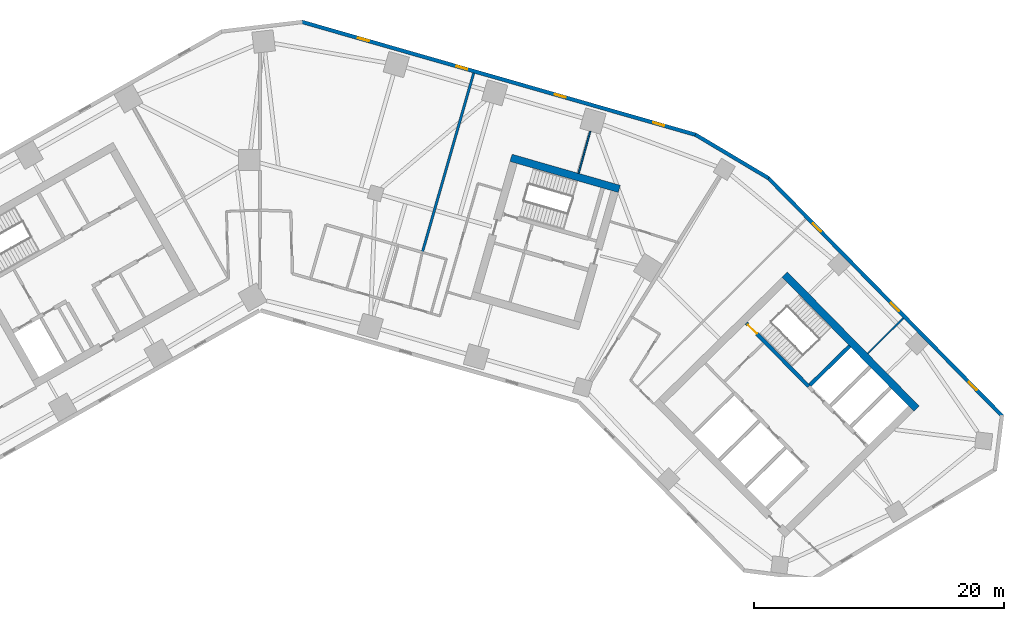
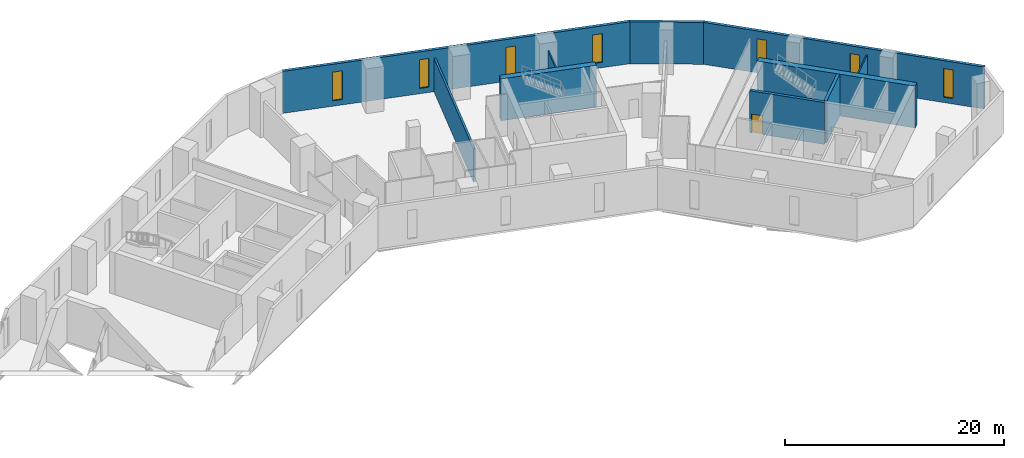
# One storey, part 7 of 10: 10 walls, 7 windows, 1 door, 8 openings.
"""IFC4 building model written with IfcOpenShell, lengths in metres."""

from ifc_helpers import new_model, si_unit, direction, frame, frame_2d, origin, place, context, subcontext, project, spatial, rectangle, extrude, material, layer, layer_set, type_object, element, fill, save


model = new_model("IFC4")

# Units and contexts
model_context = context("Model", 3, precision=1e-05, world=origin(), true_north=direction((0.0, 1.0)))
body_context = subcontext(model_context, "Body", "Model", "MODEL_VIEW")
ifc_project = project(units=[si_unit("LENGTHUNIT", "METRE"), si_unit("AREAUNIT", "SQUARE_METRE"), si_unit("VOLUMEUNIT", "CUBIC_METRE"), si_unit("PLANEANGLEUNIT", "RADIAN"), si_unit("MASSUNIT", "GRAM", prefix="KILO")], contexts=[model_context])

# Site, building, storey
site_placement = place(None, origin())
site = spatial("IfcSite", under=ifc_project, at=site_placement, CompositionType="ELEMENT")
building_placement = place(site_placement, origin())
building = spatial("IfcBuilding", under=site, at=building_placement, Name="Binnacle Exchange Tower", CompositionType="ELEMENT")
storey_placement = place(building_placement, frame((0.0, 0.0, 61.5)))
storey = spatial("IfcBuildingStorey", under=building, at=storey_placement, Name="L12", CompositionType="ELEMENT", Elevation=61.5)

# Walls
ifc_material_1 = material(Name="Concrete C70/85", Category="concrete")
ifc_layer_1 = layer(ifc_material_1, 0.60009765625)
ifc_layer_set_1 = layer_set([ifc_layer_1], Name="Core wall - outer 600")
wall_type_1 = type_object("IfcWallType", Name="Core wall - outer 600", PredefinedType="SOLIDWALL", material=ifc_layer_set_1)
wall_1_placement = place(storey_placement, frame((41.91650390625, 50.855712890625, 0.0), z_axis=(0.0, 0.0, 1.0), x_axis=(0.700911255944, -0.713248491965, 0.0)))
element("IfcWall", 1, at=wall_1_placement, inside=storey, type_object=wall_type_1, Name="Core wall CRWB6", PredefinedType="SOLIDWALL", context=body_context, shape_type="SweptSolid", body=[
    extrude(rectangle(XDim=15.0, YDim=0.60009765625, at=frame_2d((7.5, 0.0))), origin(), (0.0, 0.0, 1.0), 4.679931640625),
])
wall_2_placement = place(storey_placement, frame((20.052734375, 60.1796875, 0.0), z_axis=(0.0, 0.0, 1.0), x_axis=(0.96126248289, -0.275634611374, 0.0)))
element("IfcWall", 2, at=wall_2_placement, inside=storey, type_object=wall_type_1, Name="Core wall CRWD6", PredefinedType="SOLIDWALL", context=body_context, shape_type="SweptSolid", body=[
    extrude(rectangle(XDim=9.0, YDim=0.60009765625, at=frame_2d((4.5, 0.0))), origin(), (0.0, 0.0, 1.0), 4.679931640625),
])

# Wall, opening, door
ifc_layer_2 = layer(ifc_material_1, 0.300048828125)
ifc_layer_set_2 = layer_set([ifc_layer_2], Name="Core wall - stair 300")
wall_type_2 = type_object("IfcWallType", Name="Core wall - stair 300", PredefinedType="SOLIDWALL", material=ifc_layer_set_2)
wall_3_placement = place(storey_placement, frame((38.842041015625, 46.993408203125, 0.0), z_axis=(0.0, 0.0, 1.0), x_axis=(0.700907701701, -0.713251984713, 0.0)))
wall_3 = element("IfcWall", 3, at=wall_3_placement, inside=storey, type_object=wall_type_2, Name="Core wall CRWB4", PredefinedType="SOLIDWALL", context=body_context, shape_type="SweptSolid", body=[
    extrude(rectangle(XDim=7.10009765625, YDim=0.300048828125, at=frame_2d((3.550048828125, 0.0))), origin(), (0.0, 0.0, 1.0), 4.679931640625),
])
opening_1_placement = place(wall_3_placement, frame((0.199951171875, 0.0, 0.0)))
opening_1 = element("IfcOpeningElement", 4, at=opening_1_placement, cuts=wall_3, Name="Opening DB1", PredefinedType="OPENING", context=body_context, shape_type="SweptSolid", body=[
    extrude(rectangle(XDim=1.0, YDim=2.10009765625, at=frame_2d((0.5, 1.050048828125))), frame((0.0, 0.159912109375, 0.0), z_axis=(0.0, -1.0, 0.0), x_axis=(1.0, 0.0, 0.0)), (0.0, 0.0, 1.0), 0.320068359375),
])
ifc_material_2 = material(Name="Steel door leaf", Category="steel")
door_type = type_object("IfcDoorType", Name="Fire door 1000", OperationType="NOTDEFINED", PredefinedType="DOOR", material=ifc_material_2)
door_placement = place(opening_1_placement, origin())
door = element("IfcDoor", 5, at=door_placement, inside=storey, type_object=door_type, Name="Stair door ST-B1", OperationType="SINGLE_SWING_LEFT", OverallHeight=2.10009765625, OverallWidth=1.0, PredefinedType="DOOR", context=body_context, shape_type="SweptSolid", body=[
    extrude(rectangle(XDim=1.0, YDim=2.10009765625, at=frame_2d((0.5, 1.050048828125))), frame((0.0, 0.02490234375, 0.0), z_axis=(0.0, -1.0, 0.0), x_axis=(1.0, 0.0, 0.0)), (0.0, 0.0, 1.0), 0.050048828125),
])
fill(opening_1, door)

# Walls
wall_4_placement = place(storey_placement, frame((43.925537109375, 42.034423828125, 0.0), z_axis=(0.0, 0.0, 1.0), x_axis=(0.713251741427, 0.700907949271, 0.0)))
element("IfcWall", 6, at=wall_4_placement, inside=storey, type_object=wall_type_2, Name="Core wall CRWB11", PredefinedType="SOLIDWALL", context=body_context, shape_type="SweptSolid", body=[
    extrude(rectangle(XDim=4.4501953125, YDim=0.300048828125, at=frame_2d((2.22509765625, 0.0))), origin(), (0.0, 0.0, 1.0), 4.679931640625),
])
ifc_material_3 = material(Name="Bronze aluminium cladding", Category="aluminium")
ifc_layer_3 = layer(ifc_material_3, 0.300048828125)
ifc_layer_set_3 = layer_set([ifc_layer_3], Name="External wall - spandrel 300")
wall_type_3 = type_object("IfcWallType", Name="External wall - spandrel 300", PredefinedType="STANDARD", material=ifc_layer_set_3)
wall_5_placement = place(storey_placement, frame((34.773193359375, 62.0341796875, 0.0), z_axis=(0.0, 0.0, 1.0), x_axis=(0.859401317772, -0.511301647769, 0.0)))
element("IfcWall", 7, at=wall_5_placement, inside=storey, type_object=wall_type_3, Name="External wall EW-F00 L12", PredefinedType="STANDARD", context=body_context, shape_type="SweptSolid", body=[
    extrude(rectangle(XDim=6.80810546875, YDim=0.300048828125, at=frame_2d((3.404052734375, 0.0))), origin(), (0.0, 0.0, 1.0), 4.679931640625),
])

# Wall, openings, windows
wall_6_placement = place(storey_placement, frame((3.33544921875, 71.043701171875, 0.0), z_axis=(0.0, 0.0, 1.0), x_axis=(0.961260130989, -0.275642813387, 0.0)))
wall_6 = element("IfcWall", 8, at=wall_6_placement, inside=storey, type_object=wall_type_3, Name="External wall EW-F01 L12", PredefinedType="STANDARD", context=body_context, shape_type="SweptSolid", body=[
    extrude(rectangle(XDim=32.7412109375, YDim=0.300048828125, at=frame_2d((16.37060546875, 0.0))), origin(), (0.0, 0.0, 1.0), 4.679931640625),
])
opening_2_placement = place(wall_6_placement, frame((29.20703125, 0.0, 0.60009765625)))
opening_2 = element("IfcOpeningElement", 9, at=opening_2_placement, cuts=wall_6, Name="Opening WS1", PredefinedType="OPENING", context=body_context, shape_type="SweptSolid", body=[
    extrude(rectangle(XDim=0.89990234375, YDim=3.199951171875, at=frame_2d((0.449951171875, 1.60009765625))), frame((0.0, 0.159912109375, 0.0), z_axis=(0.0, -1.0, 0.0), x_axis=(1.0, 0.0, 0.0)), (0.0, 0.0, 1.0), 0.320068359375),
])
opening_3_placement = place(wall_6_placement, frame((21.0341796875, 0.0, 0.60009765625)))
opening_3 = element("IfcOpeningElement", 10, at=opening_3_placement, cuts=wall_6, Name="Opening WS1", PredefinedType="OPENING", context=body_context, shape_type="SweptSolid", body=[
    extrude(rectangle(XDim=0.89990234375, YDim=3.199951171875, at=frame_2d((0.449951171875, 1.60009765625))), frame((0.0, 0.159912109375, 0.0), z_axis=(0.0, -1.0, 0.0), x_axis=(1.0, 0.0, 0.0)), (0.0, 0.0, 1.0), 0.320068359375),
])
opening_4_placement = place(wall_6_placement, frame((12.861083984375, 0.0, 0.60009765625)))
opening_4 = element("IfcOpeningElement", 11, at=opening_4_placement, cuts=wall_6, Name="Opening WS1", PredefinedType="OPENING", context=body_context, shape_type="SweptSolid", body=[
    extrude(rectangle(XDim=0.89990234375, YDim=3.199951171875, at=frame_2d((0.449951171875, 1.60009765625))), frame((0.0, 0.159912109375, 0.0), z_axis=(0.0, -1.0, 0.0), x_axis=(1.0, 0.0, 0.0)), (0.0, 0.0, 1.0), 0.320068359375),
])
opening_5_placement = place(wall_6_placement, frame((4.688232421875, 0.0, 0.60009765625)))
opening_5 = element("IfcOpeningElement", 12, at=opening_5_placement, cuts=wall_6, Name="Opening WS1", PredefinedType="OPENING", context=body_context, shape_type="SweptSolid", body=[
    extrude(rectangle(XDim=0.89990234375, YDim=3.199951171875, at=frame_2d((0.449951171875, 1.60009765625))), frame((0.0, 0.159912109375, 0.0), z_axis=(0.0, -1.0, 0.0), x_axis=(1.0, 0.0, 0.0)), (0.0, 0.0, 1.0), 0.320068359375),
])
ifc_material_4 = material(Name="Bronze anodised aluminium frame", Category="aluminium")
window_type = type_object("IfcWindowType", Name="WS1 WINDOW 900x3200", PartitioningType="SINGLE_PANEL", PredefinedType="WINDOW", material=ifc_material_4)
window_1_placement = place(opening_2_placement, origin())
window_1 = element("IfcWindow", 13, at=window_1_placement, inside=storey, type_object=window_type, Name="Window WS1 L12", OverallHeight=3.199951171875, OverallWidth=0.89990234375, PartitioningType="SINGLE_PANEL", PredefinedType="WINDOW", context=body_context, shape_type="SweptSolid", body=[
    extrude(rectangle(XDim=0.89990234375, YDim=3.199951171875, at=frame_2d((0.449951171875, 1.60009765625))), frame((0.0, 0.030029296875, 0.0), z_axis=(0.0, -1.0, 0.0), x_axis=(1.0, 0.0, 0.0)), (0.0, 0.0, 1.0), 0.06005859375),
])
fill(opening_2, window_1)
window_2_placement = place(opening_3_placement, origin())
window_2 = element("IfcWindow", 14, at=window_2_placement, inside=storey, type_object=window_type, Name="Window WS1 L12", OverallHeight=3.199951171875, OverallWidth=0.89990234375, PartitioningType="SINGLE_PANEL", PredefinedType="WINDOW", context=body_context, shape_type="SweptSolid", body=[
    extrude(rectangle(XDim=0.89990234375, YDim=3.199951171875, at=frame_2d((0.449951171875, 1.60009765625))), frame((0.0, 0.030029296875, 0.0), z_axis=(0.0, -1.0, 0.0), x_axis=(1.0, 0.0, 0.0)), (0.0, 0.0, 1.0), 0.06005859375),
])
fill(opening_3, window_2)
window_3_placement = place(opening_4_placement, origin())
window_3 = element("IfcWindow", 15, at=window_3_placement, inside=storey, type_object=window_type, Name="Window WS1 L12", OverallHeight=3.199951171875, OverallWidth=0.89990234375, PartitioningType="SINGLE_PANEL", PredefinedType="WINDOW", context=body_context, shape_type="SweptSolid", body=[
    extrude(rectangle(XDim=0.89990234375, YDim=3.199951171875, at=frame_2d((0.449951171875, 1.60009765625))), frame((0.0, 0.030029296875, 0.0), z_axis=(0.0, -1.0, 0.0), x_axis=(1.0, 0.0, 0.0)), (0.0, 0.0, 1.0), 0.06005859375),
])
fill(opening_4, window_3)
window_4_placement = place(opening_5_placement, origin())
window_4 = element("IfcWindow", 16, at=window_4_placement, inside=storey, type_object=window_type, Name="Window WS1 L12", OverallHeight=3.199951171875, OverallWidth=0.89990234375, PartitioningType="SINGLE_PANEL", PredefinedType="WINDOW", context=body_context, shape_type="SweptSolid", body=[
    extrude(rectangle(XDim=0.89990234375, YDim=3.199951171875, at=frame_2d((0.449951171875, 1.60009765625))), frame((0.0, 0.030029296875, 0.0), z_axis=(0.0, -1.0, 0.0), x_axis=(1.0, 0.0, 0.0)), (0.0, 0.0, 1.0), 0.06005859375),
])
fill(opening_5, window_4)

wall_7_placement = place(storey_placement, frame((40.59375, 58.576904296875, 0.0), z_axis=(0.0, 0.0, 1.0), x_axis=(0.700909719808, -0.713250001528, 0.0)))
wall_7 = element("IfcWall", 17, at=wall_7_placement, inside=storey, type_object=wall_type_3, Name="External wall EW-F13 L12", PredefinedType="STANDARD", context=body_context, shape_type="SweptSolid", body=[
    extrude(rectangle(XDim=26.70849609375, YDim=0.300048828125, at=frame_2d((13.354248046875, 0.0))), origin(), (0.0, 0.0, 1.0), 4.679931640625),
])
opening_6_placement = place(wall_7_placement, frame((22.8583984375, 0.0, 0.60009765625)))
opening_6 = element("IfcOpeningElement", 18, at=opening_6_placement, cuts=wall_7, Name="Opening WS1", PredefinedType="OPENING", context=body_context, shape_type="SweptSolid", body=[
    extrude(rectangle(XDim=0.89990234375, YDim=3.199951171875, at=frame_2d((0.449951171875, 1.60009765625))), frame((0.0, 0.159912109375, 0.0), z_axis=(0.0, -1.0, 0.0), x_axis=(1.0, 0.0, 0.0)), (0.0, 0.0, 1.0), 0.320068359375),
])
opening_7_placement = place(wall_7_placement, frame((13.986572265625, 0.0, 0.60009765625)))
opening_7 = element("IfcOpeningElement", 19, at=opening_7_placement, cuts=wall_7, Name="Opening WS1", PredefinedType="OPENING", context=body_context, shape_type="SweptSolid", body=[
    extrude(rectangle(XDim=0.89990234375, YDim=3.199951171875, at=frame_2d((0.449951171875, 1.60009765625))), frame((0.0, 0.159912109375, 0.0), z_axis=(0.0, -1.0, 0.0), x_axis=(1.0, 0.0, 0.0)), (0.0, 0.0, 1.0), 0.320068359375),
])
opening_8_placement = place(wall_7_placement, frame((5.114501953125, 0.0, 0.60009765625)))
opening_8 = element("IfcOpeningElement", 20, at=opening_8_placement, cuts=wall_7, Name="Opening WS1", PredefinedType="OPENING", context=body_context, shape_type="SweptSolid", body=[
    extrude(rectangle(XDim=0.89990234375, YDim=3.199951171875, at=frame_2d((0.449951171875, 1.60009765625))), frame((0.0, 0.159912109375, 0.0), z_axis=(0.0, -1.0, 0.0), x_axis=(1.0, 0.0, 0.0)), (0.0, 0.0, 1.0), 0.320068359375),
])
window_5_placement = place(opening_6_placement, origin())
window_5 = element("IfcWindow", 21, at=window_5_placement, inside=storey, type_object=window_type, Name="Window WS1 L12", OverallHeight=3.199951171875, OverallWidth=0.89990234375, PartitioningType="SINGLE_PANEL", PredefinedType="WINDOW", context=body_context, shape_type="SweptSolid", body=[
    extrude(rectangle(XDim=0.89990234375, YDim=3.199951171875, at=frame_2d((0.449951171875, 1.60009765625))), frame((0.0, 0.030029296875, 0.0), z_axis=(0.0, -1.0, 0.0), x_axis=(1.0, 0.0, 0.0)), (0.0, 0.0, 1.0), 0.06005859375),
])
fill(opening_6, window_5)
window_6_placement = place(opening_7_placement, origin())
window_6 = element("IfcWindow", 22, at=window_6_placement, inside=storey, type_object=window_type, Name="Window WS1 L12", OverallHeight=3.199951171875, OverallWidth=0.89990234375, PartitioningType="SINGLE_PANEL", PredefinedType="WINDOW", context=body_context, shape_type="SweptSolid", body=[
    extrude(rectangle(XDim=0.89990234375, YDim=3.199951171875, at=frame_2d((0.449951171875, 1.60009765625))), frame((0.0, 0.030029296875, 0.0), z_axis=(0.0, -1.0, 0.0), x_axis=(1.0, 0.0, 0.0)), (0.0, 0.0, 1.0), 0.06005859375),
])
fill(opening_7, window_6)
window_7_placement = place(opening_8_placement, origin())
window_7 = element("IfcWindow", 23, at=window_7_placement, inside=storey, type_object=window_type, Name="Window WS1 L12", OverallHeight=3.199951171875, OverallWidth=0.89990234375, PartitioningType="SINGLE_PANEL", PredefinedType="WINDOW", context=body_context, shape_type="SweptSolid", body=[
    extrude(rectangle(XDim=0.89990234375, YDim=3.199951171875, at=frame_2d((0.449951171875, 1.60009765625))), frame((0.0, 0.030029296875, 0.0), z_axis=(0.0, -1.0, 0.0), x_axis=(1.0, 0.0, 0.0)), (0.0, 0.0, 1.0), 0.06005859375),
])
fill(opening_8, window_7)

# Walls
ifc_material_5 = material(Name="Masonry block wall", Category="masonry")
ifc_layer_4 = layer(ifc_material_5, 0.199951171875)
ifc_layer_set_4 = layer_set([ifc_layer_4], Name="Fire wall - block 200")
wall_type_4 = type_object("IfcWallType", Name="Fire wall - block 200", PredefinedType="PARTITIONING", material=ifc_layer_set_4)
wall_8_placement = place(storey_placement, frame((12.97412109375, 52.638916015625, 0.0), z_axis=(0.0, 0.0, 1.0), x_axis=(0.275299463768, 0.961358520662, 0.0)))
element("IfcWall", 24, at=wall_8_placement, inside=storey, type_object=wall_type_4, Name="Partition W27", PredefinedType="PARTITIONING", context=body_context, shape_type="SweptSolid", body=[
    extrude(rectangle(XDim=14.88525390625, YDim=0.199951171875, at=frame_2d((7.442626953125, 0.0))), origin(), (0.0, 0.0, 1.0), 3.741943359375),
])
ifc_material_6 = material(Name="Gypsum partition")
ifc_layer_5 = layer(ifc_material_6, 0.125)
ifc_layer_set_5 = layer_set([ifc_layer_5], Name="Partition 125")
wall_type_5 = type_object("IfcWallType", Name="Partition 125", PredefinedType="PARTITIONING", material=ifc_layer_set_5)
wall_9_placement = place(storey_placement, frame((25.445068359375, 58.946044921875, 0.0), z_axis=(0.0, 0.0, 1.0), x_axis=(0.268850353538, 0.963181959654, 0.0)))
element("IfcWall", 25, at=wall_9_placement, inside=storey, type_object=wall_type_5, Name="Partition W34", PredefinedType="PARTITIONING", context=body_context, shape_type="SweptSolid", body=[
    extrude(rectangle(XDim=3.4853515625, YDim=0.125, at=frame_2d((1.74267578125, 0.0))), origin(), (0.0, 0.0, 1.0), 4.154052734375),
])
wall_10_placement = place(storey_placement, frame((48.533935546875, 44.549072265625, 0.0), z_axis=(0.0, 0.0, 1.0), x_axis=(0.709108443911, 0.70509943609, 0.0)))
element("IfcWall", 26, at=wall_10_placement, inside=storey, type_object=wall_type_5, Name="Partition W45", PredefinedType="PARTITIONING", context=body_context, shape_type="SweptSolid", body=[
    extrude(rectangle(XDim=4.019287109375, YDim=0.125, at=frame_2d((2.009765625, 0.0))), origin(), (0.0, 0.0, 1.0), 3.9599609375),
])

save(model, "model.ifc")
